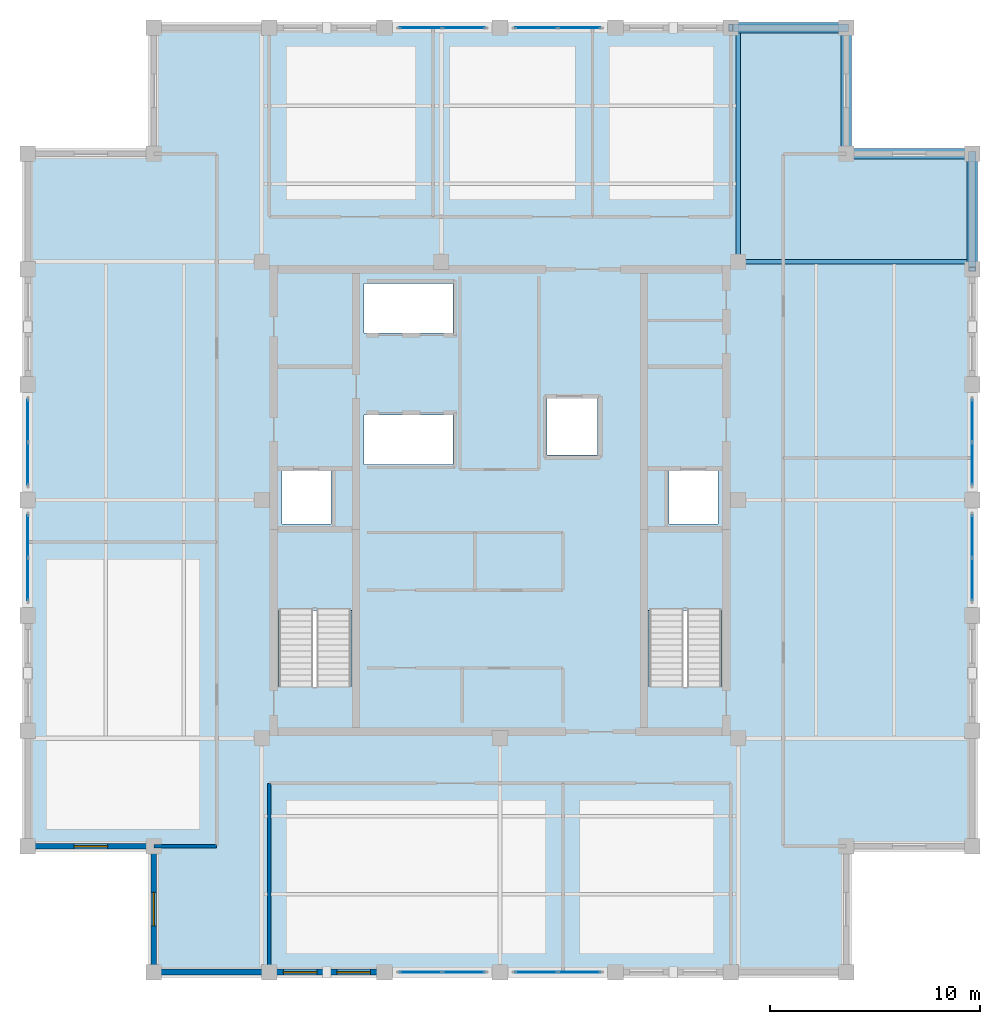
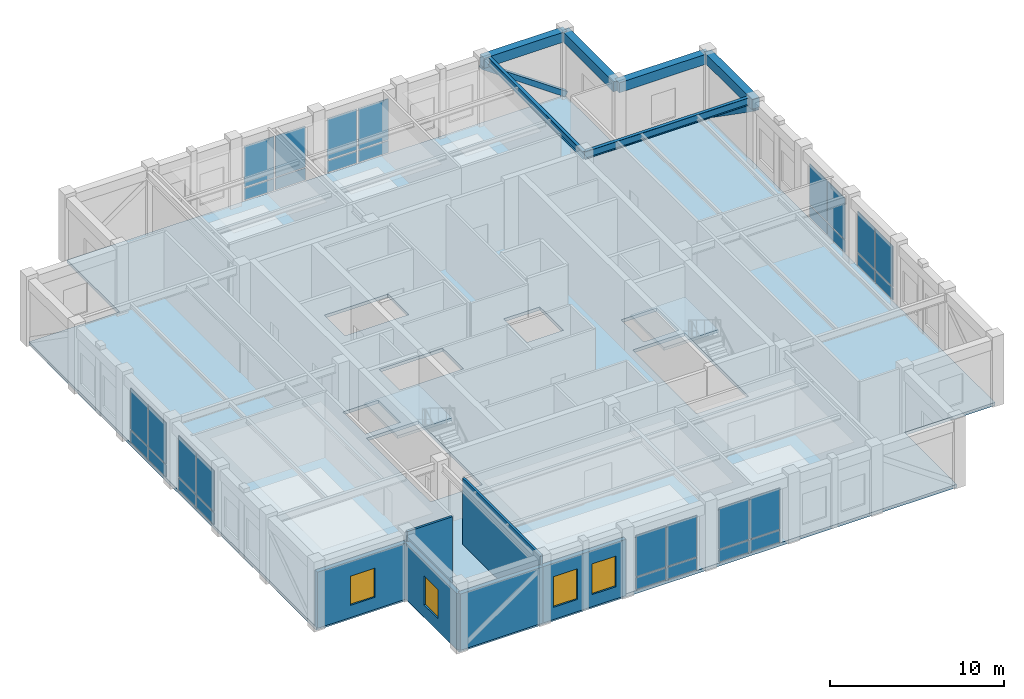
# One storey, part 6 of 13: 32 plates, 6 beams, 6 walls, 4 windows, 3 slabs, 2 members, 4 openings, 10 elements without a shape of their own.
"""IFC4 building model written with IfcOpenShell, lengths in metres."""

from ifc_helpers import new_model, si_unit, direction, frame, frame_2d, origin, origin_2d, place, context, subcontext, project, spatial, polyline, rectangle, hollow_rectangle, i_section, outline, extrude, material, layer, layer_set, material_profile, profile_set, type_object, element, fill, aggregate, save


model = new_model("IFC4")

# Units and contexts
model_context = context("Model", 3, precision=1e-05, world=origin(), true_north=direction((0.0, 1.0)))
body_context = subcontext(model_context, "Body", "Model", "MODEL_VIEW")
ifc_project = project(units=[si_unit("LENGTHUNIT", "METRE"), si_unit("AREAUNIT", "SQUARE_METRE"), si_unit("VOLUMEUNIT", "CUBIC_METRE"), si_unit("PLANEANGLEUNIT", "RADIAN"), si_unit("MASSUNIT", "GRAM", prefix="KILO")], contexts=[model_context])

# Site, building, storey
site_placement = place(None, origin())
site = spatial("IfcSite", under=ifc_project, at=site_placement, CompositionType="ELEMENT")
building_placement = place(site_placement, origin())
building = spatial("IfcBuilding", under=site, at=building_placement, Name="Nhamokura Convention Tower", CompositionType="ELEMENT")
storey_placement = place(building_placement, frame((0.0, 0.0, 308.35009765625)))
storey = spatial("IfcBuildingStorey", under=building, at=storey_placement, Name="L76", CompositionType="ELEMENT", Elevation=308.35009765625)

# Beams
ifc_material_1 = material(Name="Steel ASTM A992 Gr 50", Category="steel")
ifc_material_profile_1 = material_profile(ifc_material_1, i_section(OverallWidth=0.208984375, OverallDepth=0.532958984375, WebThickness=0.01025390625, FlangeThickness=0.015625, at=origin_2d()))
ifc_profile_set_1 = profile_set([ifc_material_profile_1], Name="Steel ASTM A992 Gr 50")
beam_type_1 = type_object("IfcBeamType", Name="PrimaryGirder_W530X92", PredefinedType="BEAM", material=ifc_profile_set_1)
for number, where, z_axis, x_axis, name in (
    (1, (43.35009765625, 43.35009765625, 4.373291015625), (0.0, 1.0, 0.0), (-1.0, 0.0, 0.0), "L76 Primary Floor Girder PG-N3"),
    (2, (43.35009765625, 43.35009765625, 4.373291015625), (1.0, 0.0, 0.0), (0.0, 1.0, 0.0), "L76 Primary Floor Girder PG-E3"),
):
    element("IfcBeam", number, at=place(storey_placement, frame(where, z_axis=z_axis, x_axis=x_axis)), inside=storey, type_object=beam_type_1, Name=name, PredefinedType="BEAM", context=body_context, shape_type="SweptSolid", body=[
        extrude(i_section(OverallWidth=0.208984375, OverallDepth=0.532958984375, WebThickness=0.01025390625, FlangeThickness=0.015625, at=origin_2d()), origin(), (0.0, 0.0, 1.0), 11.14990234375),
    ])

# Members
ifc_material_2 = material(Name="Steel ASTM A572 Gr 50", Category="steel")
ifc_material_profile_2 = material_profile(ifc_material_2, hollow_rectangle(XDim=0.35009765625, YDim=0.35009765625, WallThickness=0.01611328125, at=origin_2d()))
ifc_profile_set_2 = profile_set([ifc_material_profile_2], Name="Steel ASTM A572 Gr 50")
member_type = type_object("IfcMemberType", Name="TubeBrace_HSS350", PredefinedType="BRACE", material=ifc_profile_set_2)
for number, where, z_axis, x_axis, name in (
    (3, (48.5, 54.5, 0.14990234375), (-0.819925528188, 0.0, 0.572470198547), (0.0, -1.0, 0.0), "L76 Perimeter Tube Brace NORTH Bay 5"),
    (4, (54.5, 48.5, 0.14990234375), (0.0, -0.819925528188, 0.572470198547), (1.0, 0.0, 0.0), "L76 Perimeter Tube Brace EAST Bay 5"),
):
    element("IfcMember", number, at=place(storey_placement, frame(where, z_axis=z_axis, x_axis=x_axis)), inside=storey, type_object=member_type, Name=name, PredefinedType="BRACE", context=body_context, shape_type="SweptSolid", body=[
        extrude(hollow_rectangle(XDim=0.35009765625, YDim=0.35009765625, WallThickness=0.01611328125, at=origin_2d()), origin(), (0.0, 0.0, 1.0), 6.7080078125),
    ])

# Beams
ifc_material_3 = material(Name="Concrete C50/60", Category="concrete")
ifc_material_profile_3 = material_profile(ifc_material_3, rectangle(XDim=0.5, YDim=0.699951171875, at=origin_2d()))
ifc_profile_set_3 = profile_set([ifc_material_profile_3], Name="Concrete C50/60")
beam_type_2 = type_object("IfcBeamType", Name="TubeSpandrel_700", PredefinedType="SPANDREL", material=ifc_profile_set_3)
for number, where, z_axis, x_axis, name in (
    (5, (43.0, 54.5, 4.289794921875), (1.0, 0.0, 0.0), (0.0, 1.0, 0.0), "L76 Perimeter Spandrel NORTH 6"),
    (6, (54.5, 43.0, 4.289794921875), (0.0, 1.0, 0.0), (-1.0, 0.0, 0.0), "L76 Perimeter Spandrel EAST 6"),
):
    element("IfcBeam", number, at=place(storey_placement, frame(where, z_axis=z_axis, x_axis=x_axis)), inside=storey, type_object=beam_type_2, Name=name, PredefinedType="SPANDREL", context=body_context, shape_type="SweptSolid", body=[
        extrude(rectangle(XDim=0.5, YDim=0.699951171875, at=origin_2d()), origin(), (0.0, 0.0, 1.0), 5.5),
    ])
for number, where, z_axis, x_axis, name in (
    (7, (54.5, 48.5, 4.289794921875), (-1.0, 0.0, 0.0), (0.0, -1.0, 0.0), "L76 Notch Spandrel NE1"),
    (8, (48.5, 48.5, 4.289794921875), (0.0, 1.0, 0.0), (-1.0, 0.0, 0.0), "L76 Notch Spandrel NE2"),
):
    element("IfcBeam", number, at=place(storey_placement, frame(where, z_axis=z_axis, x_axis=x_axis)), inside=storey, type_object=beam_type_2, Name=name, PredefinedType="SPANDREL", context=body_context, shape_type="SweptSolid", body=[
        extrude(rectangle(XDim=0.5, YDim=0.699951171875, at=origin_2d()), origin(), (0.0, 0.0, 1.0), 6.0),
    ])

# Curtain wall, plates
ifc_material_4 = material(Name="Anodised bronze aluminium AA6063-T6", Category="aluminium")
ifc_layer_1 = layer(ifc_material_4, 0.18994140625)
ifc_layer_set_1 = layer_set([ifc_layer_1], Name="CWSystem_SkyLobby")
curtain_wall_type = type_object("IfcCurtainWallType", Name="CWSystem_SkyLobby", PredefinedType="NOTDEFINED", material=ifc_layer_set_1)
curtain_wall_1_placement = place(storey_placement, origin())
curtain_wall_1 = element("IfcCurtainWall", 9, at=curtain_wall_1_placement, inside=storey, type_object=curtain_wall_type, Name="L76 Curtain Wall ENV-L76-CW-S2", PredefinedType="NOTDEFINED")
ifc_material_5 = material(Name="Solar-control bronze low-E double glass", Category="glass")
ifc_layer_2 = layer(ifc_material_5, 0.0400390625)
ifc_layer_set_2 = layer_set([ifc_layer_2], Name="CWGlazedPanel_3")
plate_type = type_object("IfcPlateType", Name="CWGlazedPanel_3", PredefinedType="CURTAIN_PANEL", material=ifc_layer_set_2)
plate_1_placement = place(storey_placement, frame((30.28125, 9.5, 0.074951171875), z_axis=(0.0, 0.0, 1.0), x_axis=(-1.0, 0.0, 0.0)))
plate_1 = element("IfcPlate", 10, at=plate_1_placement, type_object=plate_type, Name="CW-06 panel 1.1", PredefinedType="CURTAIN_PANEL", context=body_context, shape_type="SweptSolid", body=[
    extrude(rectangle(XDim=1.987548828125, YDim=0.0400390625, at=origin_2d()), origin(), (0.0, 0.0, 1.0), 0.83740234375),
])
plate_2_placement = place(storey_placement, frame((30.28125, 9.5, 0.987548828125), z_axis=(0.0, 0.0, 1.0), x_axis=(-1.0, 0.0, 0.0)))
plate_2 = element("IfcPlate", 11, at=plate_2_placement, type_object=plate_type, Name="CW-06 panel 1.2", PredefinedType="CURTAIN_PANEL", context=body_context, shape_type="SweptSolid", body=[
    extrude(rectangle(XDim=1.987548828125, YDim=0.0400390625, at=origin_2d()), origin(), (0.0, 0.0, 1.0), 2.87744140625),
])
plate_3_placement = place(storey_placement, frame((28.21875, 9.5, 0.074951171875), z_axis=(0.0, 0.0, 1.0), x_axis=(-1.0, 0.0, 0.0)))
plate_3 = element("IfcPlate", 12, at=plate_3_placement, type_object=plate_type, Name="CW-06 panel 2.1", PredefinedType="CURTAIN_PANEL", context=body_context, shape_type="SweptSolid", body=[
    extrude(rectangle(XDim=1.987548828125, YDim=0.0400390625, at=origin_2d()), origin(), (0.0, 0.0, 1.0), 0.83740234375),
])
plate_4_placement = place(storey_placement, frame((28.21875, 9.5, 0.987548828125), z_axis=(0.0, 0.0, 1.0), x_axis=(-1.0, 0.0, 0.0)))
plate_4 = element("IfcPlate", 13, at=plate_4_placement, type_object=plate_type, Name="CW-06 panel 2.2", PredefinedType="CURTAIN_PANEL", context=body_context, shape_type="SweptSolid", body=[
    extrude(rectangle(XDim=1.987548828125, YDim=0.0400390625, at=origin_2d()), origin(), (0.0, 0.0, 1.0), 2.87744140625),
])
aggregate(curtain_wall_1, [plate_1, plate_2, plate_3, plate_4])

curtain_wall_2_placement = place(storey_placement, origin())
curtain_wall_2 = element("IfcCurtainWall", 14, at=curtain_wall_2_placement, inside=storey, type_object=curtain_wall_type, Name="L76 Curtain Wall ENV-L76-CW-S3", PredefinedType="NOTDEFINED")
plate_5_placement = place(storey_placement, frame((35.78125, 9.5, 0.074951171875), z_axis=(0.0, 0.0, 1.0), x_axis=(-1.0, 0.0, 0.0)))
plate_5 = element("IfcPlate", 15, at=plate_5_placement, type_object=plate_type, Name="CW-06 panel 1.1", PredefinedType="CURTAIN_PANEL", context=body_context, shape_type="SweptSolid", body=[
    extrude(rectangle(XDim=1.987548828125, YDim=0.0400390625, at=origin_2d()), origin(), (0.0, 0.0, 1.0), 0.83740234375),
])
plate_6_placement = place(storey_placement, frame((35.78125, 9.5, 0.987548828125), z_axis=(0.0, 0.0, 1.0), x_axis=(-1.0, 0.0, 0.0)))
plate_6 = element("IfcPlate", 16, at=plate_6_placement, type_object=plate_type, Name="CW-06 panel 1.2", PredefinedType="CURTAIN_PANEL", context=body_context, shape_type="SweptSolid", body=[
    extrude(rectangle(XDim=1.987548828125, YDim=0.0400390625, at=origin_2d()), origin(), (0.0, 0.0, 1.0), 2.87744140625),
])
plate_7_placement = place(storey_placement, frame((33.71875, 9.5, 0.074951171875), z_axis=(0.0, 0.0, 1.0), x_axis=(-1.0, 0.0, 0.0)))
plate_7 = element("IfcPlate", 17, at=plate_7_placement, type_object=plate_type, Name="CW-06 panel 2.1", PredefinedType="CURTAIN_PANEL", context=body_context, shape_type="SweptSolid", body=[
    extrude(rectangle(XDim=1.987548828125, YDim=0.0400390625, at=origin_2d()), origin(), (0.0, 0.0, 1.0), 0.83740234375),
])
plate_8_placement = place(storey_placement, frame((33.71875, 9.5, 0.987548828125), z_axis=(0.0, 0.0, 1.0), x_axis=(-1.0, 0.0, 0.0)))
plate_8 = element("IfcPlate", 18, at=plate_8_placement, type_object=plate_type, Name="CW-06 panel 2.2", PredefinedType="CURTAIN_PANEL", context=body_context, shape_type="SweptSolid", body=[
    extrude(rectangle(XDim=1.987548828125, YDim=0.0400390625, at=origin_2d()), origin(), (0.0, 0.0, 1.0), 2.87744140625),
])
aggregate(curtain_wall_2, [plate_5, plate_6, plate_7, plate_8])

curtain_wall_3_placement = place(storey_placement, origin())
curtain_wall_3 = element("IfcCurtainWall", 19, at=curtain_wall_3_placement, inside=storey, type_object=curtain_wall_type, Name="L76 Curtain Wall ENV-L76-CW-N2", PredefinedType="NOTDEFINED")
plate_9_placement = place(storey_placement, frame((28.21875, 54.5, 0.074951171875), z_axis=(0.0, 0.0, 1.0), x_axis=(1.0, 0.0, 0.0)))
plate_9 = element("IfcPlate", 20, at=plate_9_placement, type_object=plate_type, Name="CW-06 panel 1.1", PredefinedType="CURTAIN_PANEL", context=body_context, shape_type="SweptSolid", body=[
    extrude(rectangle(XDim=1.987548828125, YDim=0.0400390625, at=origin_2d()), origin(), (0.0, 0.0, 1.0), 0.83740234375),
])
plate_10_placement = place(storey_placement, frame((28.21875, 54.5, 0.987548828125), z_axis=(0.0, 0.0, 1.0), x_axis=(1.0, 0.0, 0.0)))
plate_10 = element("IfcPlate", 21, at=plate_10_placement, type_object=plate_type, Name="CW-06 panel 1.2", PredefinedType="CURTAIN_PANEL", context=body_context, shape_type="SweptSolid", body=[
    extrude(rectangle(XDim=1.987548828125, YDim=0.0400390625, at=origin_2d()), origin(), (0.0, 0.0, 1.0), 2.87744140625),
])
plate_11_placement = place(storey_placement, frame((30.28125, 54.5, 0.074951171875), z_axis=(0.0, 0.0, 1.0), x_axis=(1.0, 0.0, 0.0)))
plate_11 = element("IfcPlate", 22, at=plate_11_placement, type_object=plate_type, Name="CW-06 panel 2.1", PredefinedType="CURTAIN_PANEL", context=body_context, shape_type="SweptSolid", body=[
    extrude(rectangle(XDim=1.987548828125, YDim=0.0400390625, at=origin_2d()), origin(), (0.0, 0.0, 1.0), 0.83740234375),
])
plate_12_placement = place(storey_placement, frame((30.28125, 54.5, 0.987548828125), z_axis=(0.0, 0.0, 1.0), x_axis=(1.0, 0.0, 0.0)))
plate_12 = element("IfcPlate", 23, at=plate_12_placement, type_object=plate_type, Name="CW-06 panel 2.2", PredefinedType="CURTAIN_PANEL", context=body_context, shape_type="SweptSolid", body=[
    extrude(rectangle(XDim=1.987548828125, YDim=0.0400390625, at=origin_2d()), origin(), (0.0, 0.0, 1.0), 2.87744140625),
])
aggregate(curtain_wall_3, [plate_9, plate_10, plate_11, plate_12])

curtain_wall_4_placement = place(storey_placement, origin())
curtain_wall_4 = element("IfcCurtainWall", 24, at=curtain_wall_4_placement, inside=storey, type_object=curtain_wall_type, Name="L76 Curtain Wall ENV-L76-CW-N3", PredefinedType="NOTDEFINED")
plate_13_placement = place(storey_placement, frame((33.71875, 54.5, 0.074951171875), z_axis=(0.0, 0.0, 1.0), x_axis=(1.0, 0.0, 0.0)))
plate_13 = element("IfcPlate", 25, at=plate_13_placement, type_object=plate_type, Name="CW-06 panel 1.1", PredefinedType="CURTAIN_PANEL", context=body_context, shape_type="SweptSolid", body=[
    extrude(rectangle(XDim=1.987548828125, YDim=0.0400390625, at=origin_2d()), origin(), (0.0, 0.0, 1.0), 0.83740234375),
])
plate_14_placement = place(storey_placement, frame((33.71875, 54.5, 0.987548828125), z_axis=(0.0, 0.0, 1.0), x_axis=(1.0, 0.0, 0.0)))
plate_14 = element("IfcPlate", 26, at=plate_14_placement, type_object=plate_type, Name="CW-06 panel 1.2", PredefinedType="CURTAIN_PANEL", context=body_context, shape_type="SweptSolid", body=[
    extrude(rectangle(XDim=1.987548828125, YDim=0.0400390625, at=origin_2d()), origin(), (0.0, 0.0, 1.0), 2.87744140625),
])
plate_15_placement = place(storey_placement, frame((35.78125, 54.5, 0.074951171875), z_axis=(0.0, 0.0, 1.0), x_axis=(1.0, 0.0, 0.0)))
plate_15 = element("IfcPlate", 27, at=plate_15_placement, type_object=plate_type, Name="CW-06 panel 2.1", PredefinedType="CURTAIN_PANEL", context=body_context, shape_type="SweptSolid", body=[
    extrude(rectangle(XDim=1.987548828125, YDim=0.0400390625, at=origin_2d()), origin(), (0.0, 0.0, 1.0), 0.83740234375),
])
plate_16_placement = place(storey_placement, frame((35.78125, 54.5, 0.987548828125), z_axis=(0.0, 0.0, 1.0), x_axis=(1.0, 0.0, 0.0)))
plate_16 = element("IfcPlate", 28, at=plate_16_placement, type_object=plate_type, Name="CW-06 panel 2.2", PredefinedType="CURTAIN_PANEL", context=body_context, shape_type="SweptSolid", body=[
    extrude(rectangle(XDim=1.987548828125, YDim=0.0400390625, at=origin_2d()), origin(), (0.0, 0.0, 1.0), 2.87744140625),
])
aggregate(curtain_wall_4, [plate_13, plate_14, plate_15, plate_16])

curtain_wall_5_placement = place(storey_placement, origin())
curtain_wall_5 = element("IfcCurtainWall", 29, at=curtain_wall_5_placement, inside=storey, type_object=curtain_wall_type, Name="L76 Curtain Wall ENV-L76-CW-W2", PredefinedType="NOTDEFINED")
plate_17_placement = place(storey_placement, frame((9.5, 28.21875, 0.074951171875), z_axis=(0.0, 0.0, 1.0), x_axis=(0.0, 1.0, 0.0)))
plate_17 = element("IfcPlate", 30, at=plate_17_placement, type_object=plate_type, Name="CW-06 panel 1.1", PredefinedType="CURTAIN_PANEL", context=body_context, shape_type="SweptSolid", body=[
    extrude(rectangle(XDim=1.987548828125, YDim=0.0400390625, at=origin_2d()), origin(), (0.0, 0.0, 1.0), 0.83740234375),
])
plate_18_placement = place(storey_placement, frame((9.5, 28.21875, 0.987548828125), z_axis=(0.0, 0.0, 1.0), x_axis=(0.0, 1.0, 0.0)))
plate_18 = element("IfcPlate", 31, at=plate_18_placement, type_object=plate_type, Name="CW-06 panel 1.2", PredefinedType="CURTAIN_PANEL", context=body_context, shape_type="SweptSolid", body=[
    extrude(rectangle(XDim=1.987548828125, YDim=0.0400390625, at=origin_2d()), origin(), (0.0, 0.0, 1.0), 2.87744140625),
])
plate_19_placement = place(storey_placement, frame((9.5, 30.28125, 0.074951171875), z_axis=(0.0, 0.0, 1.0), x_axis=(0.0, 1.0, 0.0)))
plate_19 = element("IfcPlate", 32, at=plate_19_placement, type_object=plate_type, Name="CW-06 panel 2.1", PredefinedType="CURTAIN_PANEL", context=body_context, shape_type="SweptSolid", body=[
    extrude(rectangle(XDim=1.987548828125, YDim=0.0400390625, at=origin_2d()), origin(), (0.0, 0.0, 1.0), 0.83740234375),
])
plate_20_placement = place(storey_placement, frame((9.5, 30.28125, 0.987548828125), z_axis=(0.0, 0.0, 1.0), x_axis=(0.0, 1.0, 0.0)))
plate_20 = element("IfcPlate", 33, at=plate_20_placement, type_object=plate_type, Name="CW-06 panel 2.2", PredefinedType="CURTAIN_PANEL", context=body_context, shape_type="SweptSolid", body=[
    extrude(rectangle(XDim=1.987548828125, YDim=0.0400390625, at=origin_2d()), origin(), (0.0, 0.0, 1.0), 2.87744140625),
])
aggregate(curtain_wall_5, [plate_17, plate_18, plate_19, plate_20])

curtain_wall_6_placement = place(storey_placement, origin())
curtain_wall_6 = element("IfcCurtainWall", 34, at=curtain_wall_6_placement, inside=storey, type_object=curtain_wall_type, Name="L76 Curtain Wall ENV-L76-CW-W3", PredefinedType="NOTDEFINED")
plate_21_placement = place(storey_placement, frame((9.5, 33.71875, 0.074951171875), z_axis=(0.0, 0.0, 1.0), x_axis=(0.0, 1.0, 0.0)))
plate_21 = element("IfcPlate", 35, at=plate_21_placement, type_object=plate_type, Name="CW-06 panel 1.1", PredefinedType="CURTAIN_PANEL", context=body_context, shape_type="SweptSolid", body=[
    extrude(rectangle(XDim=1.987548828125, YDim=0.0400390625, at=origin_2d()), origin(), (0.0, 0.0, 1.0), 0.83740234375),
])
plate_22_placement = place(storey_placement, frame((9.5, 33.71875, 0.987548828125), z_axis=(0.0, 0.0, 1.0), x_axis=(0.0, 1.0, 0.0)))
plate_22 = element("IfcPlate", 36, at=plate_22_placement, type_object=plate_type, Name="CW-06 panel 1.2", PredefinedType="CURTAIN_PANEL", context=body_context, shape_type="SweptSolid", body=[
    extrude(rectangle(XDim=1.987548828125, YDim=0.0400390625, at=origin_2d()), origin(), (0.0, 0.0, 1.0), 2.87744140625),
])
plate_23_placement = place(storey_placement, frame((9.5, 35.78125, 0.074951171875), z_axis=(0.0, 0.0, 1.0), x_axis=(0.0, 1.0, 0.0)))
plate_23 = element("IfcPlate", 37, at=plate_23_placement, type_object=plate_type, Name="CW-06 panel 2.1", PredefinedType="CURTAIN_PANEL", context=body_context, shape_type="SweptSolid", body=[
    extrude(rectangle(XDim=1.987548828125, YDim=0.0400390625, at=origin_2d()), origin(), (0.0, 0.0, 1.0), 0.83740234375),
])
plate_24_placement = place(storey_placement, frame((9.5, 35.78125, 0.987548828125), z_axis=(0.0, 0.0, 1.0), x_axis=(0.0, 1.0, 0.0)))
plate_24 = element("IfcPlate", 38, at=plate_24_placement, type_object=plate_type, Name="CW-06 panel 2.2", PredefinedType="CURTAIN_PANEL", context=body_context, shape_type="SweptSolid", body=[
    extrude(rectangle(XDim=1.987548828125, YDim=0.0400390625, at=origin_2d()), origin(), (0.0, 0.0, 1.0), 2.87744140625),
])
aggregate(curtain_wall_6, [plate_21, plate_22, plate_23, plate_24])

curtain_wall_7_placement = place(storey_placement, origin())
curtain_wall_7 = element("IfcCurtainWall", 39, at=curtain_wall_7_placement, inside=storey, type_object=curtain_wall_type, Name="L76 Curtain Wall ENV-L76-CW-E2", PredefinedType="NOTDEFINED")
plate_25_placement = place(storey_placement, frame((54.5, 30.28125, 0.074951171875), z_axis=(0.0, 0.0, 1.0), x_axis=(0.0, -1.0, 0.0)))
plate_25 = element("IfcPlate", 40, at=plate_25_placement, type_object=plate_type, Name="CW-06 panel 1.1", PredefinedType="CURTAIN_PANEL", context=body_context, shape_type="SweptSolid", body=[
    extrude(rectangle(XDim=1.987548828125, YDim=0.0400390625, at=origin_2d()), origin(), (0.0, 0.0, 1.0), 0.83740234375),
])
plate_26_placement = place(storey_placement, frame((54.5, 30.28125, 0.987548828125), z_axis=(0.0, 0.0, 1.0), x_axis=(0.0, -1.0, 0.0)))
plate_26 = element("IfcPlate", 41, at=plate_26_placement, type_object=plate_type, Name="CW-06 panel 1.2", PredefinedType="CURTAIN_PANEL", context=body_context, shape_type="SweptSolid", body=[
    extrude(rectangle(XDim=1.987548828125, YDim=0.0400390625, at=origin_2d()), origin(), (0.0, 0.0, 1.0), 2.87744140625),
])
plate_27_placement = place(storey_placement, frame((54.5, 28.21875, 0.074951171875), z_axis=(0.0, 0.0, 1.0), x_axis=(0.0, -1.0, 0.0)))
plate_27 = element("IfcPlate", 42, at=plate_27_placement, type_object=plate_type, Name="CW-06 panel 2.1", PredefinedType="CURTAIN_PANEL", context=body_context, shape_type="SweptSolid", body=[
    extrude(rectangle(XDim=1.987548828125, YDim=0.0400390625, at=origin_2d()), origin(), (0.0, 0.0, 1.0), 0.83740234375),
])
plate_28_placement = place(storey_placement, frame((54.5, 28.21875, 0.987548828125), z_axis=(0.0, 0.0, 1.0), x_axis=(0.0, -1.0, 0.0)))
plate_28 = element("IfcPlate", 43, at=plate_28_placement, type_object=plate_type, Name="CW-06 panel 2.2", PredefinedType="CURTAIN_PANEL", context=body_context, shape_type="SweptSolid", body=[
    extrude(rectangle(XDim=1.987548828125, YDim=0.0400390625, at=origin_2d()), origin(), (0.0, 0.0, 1.0), 2.87744140625),
])
aggregate(curtain_wall_7, [plate_25, plate_26, plate_27, plate_28])

curtain_wall_8_placement = place(storey_placement, origin())
curtain_wall_8 = element("IfcCurtainWall", 44, at=curtain_wall_8_placement, inside=storey, type_object=curtain_wall_type, Name="L76 Curtain Wall ENV-L76-CW-E3", PredefinedType="NOTDEFINED")
plate_29_placement = place(storey_placement, frame((54.5, 35.78125, 0.074951171875), z_axis=(0.0, 0.0, 1.0), x_axis=(0.0, -1.0, 0.0)))
plate_29 = element("IfcPlate", 45, at=plate_29_placement, type_object=plate_type, Name="CW-06 panel 1.1", PredefinedType="CURTAIN_PANEL", context=body_context, shape_type="SweptSolid", body=[
    extrude(rectangle(XDim=1.987548828125, YDim=0.0400390625, at=origin_2d()), origin(), (0.0, 0.0, 1.0), 0.83740234375),
])
plate_30_placement = place(storey_placement, frame((54.5, 35.78125, 0.987548828125), z_axis=(0.0, 0.0, 1.0), x_axis=(0.0, -1.0, 0.0)))
plate_30 = element("IfcPlate", 46, at=plate_30_placement, type_object=plate_type, Name="CW-06 panel 1.2", PredefinedType="CURTAIN_PANEL", context=body_context, shape_type="SweptSolid", body=[
    extrude(rectangle(XDim=1.987548828125, YDim=0.0400390625, at=origin_2d()), origin(), (0.0, 0.0, 1.0), 2.87744140625),
])
plate_31_placement = place(storey_placement, frame((54.5, 33.71875, 0.074951171875), z_axis=(0.0, 0.0, 1.0), x_axis=(0.0, -1.0, 0.0)))
plate_31 = element("IfcPlate", 47, at=plate_31_placement, type_object=plate_type, Name="CW-06 panel 2.1", PredefinedType="CURTAIN_PANEL", context=body_context, shape_type="SweptSolid", body=[
    extrude(rectangle(XDim=1.987548828125, YDim=0.0400390625, at=origin_2d()), origin(), (0.0, 0.0, 1.0), 0.83740234375),
])
plate_32_placement = place(storey_placement, frame((54.5, 33.71875, 0.987548828125), z_axis=(0.0, 0.0, 1.0), x_axis=(0.0, -1.0, 0.0)))
plate_32 = element("IfcPlate", 48, at=plate_32_placement, type_object=plate_type, Name="CW-06 panel 2.2", PredefinedType="CURTAIN_PANEL", context=body_context, shape_type="SweptSolid", body=[
    extrude(rectangle(XDim=1.987548828125, YDim=0.0400390625, at=origin_2d()), origin(), (0.0, 0.0, 1.0), 2.87744140625),
])
aggregate(curtain_wall_8, [plate_29, plate_30, plate_31, plate_32])

# Slab
ifc_material_6 = material(Name="Concrete C40/50", Category="concrete")
ifc_layer_3 = layer(ifc_material_6, 0.219970703125)
ifc_layer_set_3 = layer_set([ifc_layer_3], Name="SkyLobbySlab_220")
slab_type_1 = type_object("IfcSlabType", Name="SkyLobbySlab_220", PredefinedType="FLOOR", material=ifc_layer_set_3)
slab_1_placement = place(storey_placement, frame((0.0, 0.0, -0.22021484375)))
element("IfcSlab", 49, at=slab_1_placement, inside=storey, type_object=slab_type_1, Name="L76 Structural Floor Slab", PredefinedType="FLOOR", context=body_context, shape_type="SweptSolid", body=[
    extrude(outline(polyline([(15.5, 9.5), (48.5, 9.5), (48.5, 15.5), (54.5, 15.5), (54.5, 48.5), (48.5, 48.5), (48.5, 54.5), (15.5, 54.5), (15.5, 48.5), (9.5, 48.5), (9.5, 15.5), (15.5, 15.5), (15.5, 9.5)]), holes=[polyline([(24.89990234375, 23.10009765625), (24.89990234375, 30.449951171875), (21.449951171875, 30.449951171875), (21.449951171875, 23.10009765625), (24.89990234375, 23.10009765625)]), polyline([(42.550048828125, 23.10009765625), (42.550048828125, 30.449951171875), (39.10009765625, 30.449951171875), (39.10009765625, 23.10009765625), (42.550048828125, 23.10009765625)]), polyline([(21.60009765625, 30.85009765625), (23.949951171875, 30.85009765625), (23.949951171875, 33.39990234375), (21.60009765625, 33.39990234375), (21.60009765625, 30.85009765625)]), polyline([(40.050048828125, 30.85009765625), (42.39990234375, 30.85009765625), (42.39990234375, 33.39990234375), (40.050048828125, 33.39990234375), (40.050048828125, 30.85009765625)]), polyline([(34.25, 34.14990234375), (36.64990234375, 34.14990234375), (36.64990234375, 36.85009765625), (34.25, 36.85009765625), (34.25, 34.14990234375)]), polyline([(25.52001953125, 33.679931640625), (29.75, 33.679931640625), (29.75, 36.050048828125), (25.52001953125, 36.050048828125), (25.52001953125, 33.679931640625)]), polyline([(25.52001953125, 39.949951171875), (29.75, 39.949951171875), (29.75, 42.320068359375), (25.52001953125, 42.320068359375), (25.52001953125, 39.949951171875)])]), origin(), (0.0, 0.0, 1.0), 0.22021484375),
])

# Stair, slab
ifc_material_7 = material(Name="Concrete C40/50", Category="concrete")
stair_type = type_object("IfcStairType", Name="TowerCoreStair_1650", PredefinedType="HALF_TURN_STAIR", material=ifc_material_7)
stair_1_placement = place(storey_placement, origin())
stair_1 = element("IfcStair", 50, at=stair_1_placement, inside=storey, type_object=stair_type, Name="L76 West Core Smokeproof Stair ST-01", PredefinedType="HALF_TURN_STAIR")
ifc_material_8 = material(Name="Concrete C40/50", Category="concrete")
ifc_layer_4 = layer(ifc_material_8, 0.199951171875)
ifc_layer_set_4 = layer_set([ifc_layer_4], Name="StairLandingSlab_200")
slab_type_2 = type_object("IfcSlabType", Name="StairLandingSlab_200", PredefinedType="LANDING", material=ifc_layer_set_4)
slab_2_placement = place(storey_placement, frame((0.0, 0.0, 2.25)))
slab_2 = element("IfcSlab", 51, at=slab_2_placement, type_object=slab_type_2, Name="ST-01 landing 1", PredefinedType="LANDING", context=body_context, shape_type="SweptSolid", body=[
    extrude(outline(polyline([(24.97998046875, 26.72509765625), (24.97998046875, 30.530029296875), (21.3701171875, 30.530029296875), (21.3701171875, 26.72509765625), (24.97998046875, 26.72509765625)])), origin(), (0.0, 0.0, 1.0), 0.199951171875),
])
aggregate(stair_1, [slab_2])

stair_2_placement = place(storey_placement, origin())
stair_2 = element("IfcStair", 52, at=stair_2_placement, inside=storey, type_object=stair_type, Name="L76 East Core Smokeproof Stair ST-02", PredefinedType="HALF_TURN_STAIR")
slab_3_placement = place(storey_placement, frame((0.0, 0.0, 2.25)))
slab_3 = element("IfcSlab", 53, at=slab_3_placement, type_object=slab_type_2, Name="ST-02 landing 1", PredefinedType="LANDING", context=body_context, shape_type="SweptSolid", body=[
    extrude(outline(polyline([(42.6298828125, 26.72509765625), (42.6298828125, 30.530029296875), (39.02001953125, 30.530029296875), (39.02001953125, 26.72509765625), (42.6298828125, 26.72509765625)])), origin(), (0.0, 0.0, 1.0), 0.199951171875),
])
aggregate(stair_2, [slab_3])

# Wall
ifc_material_9 = material(Name="Bronze-pigmented precast concrete C45/55", Category="concrete")
ifc_layer_5 = layer(ifc_material_9, 0.280029296875)
ifc_layer_set_5 = layer_set([ifc_layer_5], Name="BronzePrecastSpandrel_280")
wall_type_1 = type_object("IfcWallType", Name="BronzePrecastSpandrel_280", PredefinedType="USERDEFINED", material=ifc_layer_set_5)
wall_1_placement = place(storey_placement, frame((21.0, 9.5, 0.0), z_axis=(0.0, 0.0, 1.0), x_axis=(-1.0, 0.0, 0.0)))
element("IfcWall", 54, at=wall_1_placement, inside=storey, type_object=wall_type_1, Name="L76 Braced-Bay Precast Wall SOUTH 0", ObjectType="SPANDREL_WALL", PredefinedType="USERDEFINED", context=body_context, shape_type="SweptSolid", body=[
    extrude(rectangle(XDim=5.5, YDim=0.280029296875, at=frame_2d((2.75, 0.0))), origin(), (0.0, 0.0, 1.0), 3.93994140625),
])

# Wall, openings, windows
wall_2_placement = place(storey_placement, frame((26.5, 9.5, 0.0), z_axis=(0.0, 0.0, 1.0), x_axis=(-1.0, 0.0, 0.0)))
wall_2 = element("IfcWall", 55, at=wall_2_placement, inside=storey, type_object=wall_type_1, Name="L76 Masonry-Frame Wall SOUTH 1", ObjectType="SPANDREL_WALL", PredefinedType="USERDEFINED", context=body_context, shape_type="SweptSolid", body=[
    extrude(rectangle(XDim=5.5, YDim=0.280029296875, at=frame_2d((2.75, 0.0))), origin(), (0.0, 0.0, 1.0), 3.93994140625),
])
opening_1_placement = place(wall_2_placement, frame((0.675048828125, 0.0, 0.85009765625)))
opening_1 = element("IfcOpeningElement", 56, at=opening_1_placement, cuts=wall_2, Name="Opening W-11", PredefinedType="OPENING", context=body_context, shape_type="SweptSolid", body=[
    extrude(rectangle(XDim=1.60009765625, YDim=2.14990234375, at=frame_2d((0.800048828125, 1.074951171875))), frame((0.0, 0.14990234375, 0.0), z_axis=(0.0, -1.0, 0.0), x_axis=(1.0, 0.0, 0.0)), (0.0, 0.0, 1.0), 0.300048828125),
])
opening_2_placement = place(wall_2_placement, frame((3.22509765625, 0.0, 0.85009765625)))
opening_2 = element("IfcOpeningElement", 57, at=opening_2_placement, cuts=wall_2, Name="Opening W-11", PredefinedType="OPENING", context=body_context, shape_type="SweptSolid", body=[
    extrude(rectangle(XDim=1.60009765625, YDim=2.14990234375, at=frame_2d((0.800048828125, 1.074951171875))), frame((0.0, 0.14990234375, 0.0), z_axis=(0.0, -1.0, 0.0), x_axis=(1.0, 0.0, 0.0)), (0.0, 0.0, 1.0), 0.300048828125),
])
ifc_material_10 = material(Name="Solar-control bronze low-E double glass", Category="glass")
window_type = type_object("IfcWindowType", Name="NotchCornerWindow_1600", PartitioningType="SINGLE_PANEL", PredefinedType="WINDOW", material=ifc_material_10)
window_1_placement = place(opening_1_placement, origin())
window_1 = element("IfcWindow", 58, at=window_1_placement, inside=storey, type_object=window_type, Name="L76 Facade Window SOUTH 1-1", OverallHeight=2.14990234375, OverallWidth=1.60009765625, PartitioningType="SINGLE_PANEL", PredefinedType="WINDOW", context=body_context, shape_type="SweptSolid", body=[
    extrude(rectangle(XDim=1.60009765625, YDim=2.14990234375, at=frame_2d((0.800048828125, 1.074951171875))), frame((0.0, 0.030029296875, 0.0), z_axis=(0.0, -1.0, 0.0), x_axis=(1.0, 0.0, 0.0)), (0.0, 0.0, 1.0), 0.06005859375),
])
fill(opening_1, window_1)
window_2_placement = place(opening_2_placement, origin())
window_2 = element("IfcWindow", 59, at=window_2_placement, inside=storey, type_object=window_type, Name="L76 Facade Window SOUTH 1-2", OverallHeight=2.14990234375, OverallWidth=1.60009765625, PartitioningType="SINGLE_PANEL", PredefinedType="WINDOW", context=body_context, shape_type="SweptSolid", body=[
    extrude(rectangle(XDim=1.60009765625, YDim=2.14990234375, at=frame_2d((0.800048828125, 1.074951171875))), frame((0.0, 0.030029296875, 0.0), z_axis=(0.0, -1.0, 0.0), x_axis=(1.0, 0.0, 0.0)), (0.0, 0.0, 1.0), 0.06005859375),
])
fill(opening_2, window_2)

# Wall, opening, window
wall_3_placement = place(storey_placement, frame((15.5, 9.5, 0.0), z_axis=(0.0, 0.0, 1.0), x_axis=(0.0, 1.0, 0.0)))
wall_3 = element("IfcWall", 60, at=wall_3_placement, inside=storey, type_object=wall_type_1, Name="L76 Notched Corner Wall SW1", ObjectType="SPANDREL_WALL", PredefinedType="USERDEFINED", context=body_context, shape_type="SweptSolid", body=[
    extrude(rectangle(XDim=6.0, YDim=0.280029296875, at=frame_2d((3.0, 0.0))), origin(), (0.0, 0.0, 1.0), 3.93994140625),
])
opening_3_placement = place(wall_3_placement, frame((2.199951171875, 0.0, 0.85009765625)))
opening_3 = element("IfcOpeningElement", 61, at=opening_3_placement, cuts=wall_3, Name="Opening W-11", PredefinedType="OPENING", context=body_context, shape_type="SweptSolid", body=[
    extrude(rectangle(XDim=1.60009765625, YDim=2.050048828125, at=frame_2d((0.800048828125, 1.02490234375))), frame((0.0, 0.14990234375, 0.0), z_axis=(0.0, -1.0, 0.0), x_axis=(1.0, 0.0, 0.0)), (0.0, 0.0, 1.0), 0.300048828125),
])
window_3_placement = place(opening_3_placement, origin())
window_3 = element("IfcWindow", 62, at=window_3_placement, inside=storey, type_object=window_type, Name="L76 Notched Corner Window SW1", OverallHeight=2.050048828125, OverallWidth=1.60009765625, PartitioningType="SINGLE_PANEL", PredefinedType="WINDOW", context=body_context, shape_type="SweptSolid", body=[
    extrude(rectangle(XDim=1.60009765625, YDim=2.050048828125, at=frame_2d((0.800048828125, 1.02490234375))), frame((0.0, 0.030029296875, 0.0), z_axis=(0.0, -1.0, 0.0), x_axis=(1.0, 0.0, 0.0)), (0.0, 0.0, 1.0), 0.06005859375),
])
fill(opening_3, window_3)

wall_4_placement = place(storey_placement, frame((15.5, 15.5, 0.0), z_axis=(0.0, 0.0, 1.0), x_axis=(-1.0, 0.0, 0.0)))
wall_4 = element("IfcWall", 63, at=wall_4_placement, inside=storey, type_object=wall_type_1, Name="L76 Notched Corner Wall SW2", ObjectType="SPANDREL_WALL", PredefinedType="USERDEFINED", context=body_context, shape_type="SweptSolid", body=[
    extrude(rectangle(XDim=6.0, YDim=0.280029296875, at=frame_2d((3.0, 0.0))), origin(), (0.0, 0.0, 1.0), 3.93994140625),
])
opening_4_placement = place(wall_4_placement, frame((2.199951171875, 0.0, 0.85009765625)))
opening_4 = element("IfcOpeningElement", 64, at=opening_4_placement, cuts=wall_4, Name="Opening W-11", PredefinedType="OPENING", context=body_context, shape_type="SweptSolid", body=[
    extrude(rectangle(XDim=1.60009765625, YDim=2.050048828125, at=frame_2d((0.800048828125, 1.02490234375))), frame((0.0, 0.14990234375, 0.0), z_axis=(0.0, -1.0, 0.0), x_axis=(1.0, 0.0, 0.0)), (0.0, 0.0, 1.0), 0.300048828125),
])
window_4_placement = place(opening_4_placement, origin())
window_4 = element("IfcWindow", 65, at=window_4_placement, inside=storey, type_object=window_type, Name="L76 Notched Corner Window SW2", OverallHeight=2.050048828125, OverallWidth=1.60009765625, PartitioningType="SINGLE_PANEL", PredefinedType="WINDOW", context=body_context, shape_type="SweptSolid", body=[
    extrude(rectangle(XDim=1.60009765625, YDim=2.050048828125, at=frame_2d((0.800048828125, 1.02490234375))), frame((0.0, 0.030029296875, 0.0), z_axis=(0.0, -1.0, 0.0), x_axis=(1.0, 0.0, 0.0)), (0.0, 0.0, 1.0), 0.06005859375),
])
fill(opening_4, window_4)

# Walls
ifc_material_11 = material(Name="Acoustic gypsum stud partition", Category="masonry")
ifc_layer_6 = layer(ifc_material_11, 0.14990234375)
ifc_layer_set_6 = layer_set([ifc_layer_6], Name="InteriorPartition_150")
wall_type_2 = type_object("IfcWallType", Name="InteriorPartition_150", PredefinedType="STANDARD", material=ifc_layer_set_6)
wall_5_placement = place(storey_placement, frame((21.0, 9.56005859375, 0.0), z_axis=(0.0, 0.0, 1.0), x_axis=(0.0, 1.0, 0.0)))
element("IfcWall", 66, at=wall_5_placement, inside=storey, type_object=wall_type_2, Name="L76 Wall INT-L76-RWL-S", PredefinedType="STANDARD", context=body_context, shape_type="SweptSolid", body=[
    extrude(rectangle(XDim=8.93994140625, YDim=0.14990234375, at=frame_2d((4.469970703125, 0.0))), origin(), (0.0, 0.0, 1.0), 4.639892578125),
])
wall_6_placement = place(storey_placement, frame((15.5, 15.5, 0.0), z_axis=(0.0, 0.0, 1.0), x_axis=(1.0, 0.0, 0.0)))
element("IfcWall", 67, at=wall_6_placement, inside=storey, type_object=wall_type_2, Name="L76 Wall INT-L76-VSTP-WS", PredefinedType="STANDARD", context=body_context, shape_type="SweptSolid", body=[
    extrude(rectangle(XDim=3.0, YDim=0.14990234375, at=frame_2d((1.5, 0.0))), origin(), (0.0, 0.0, 1.0), 4.639892578125),
])

save(model, "model.ifc")
